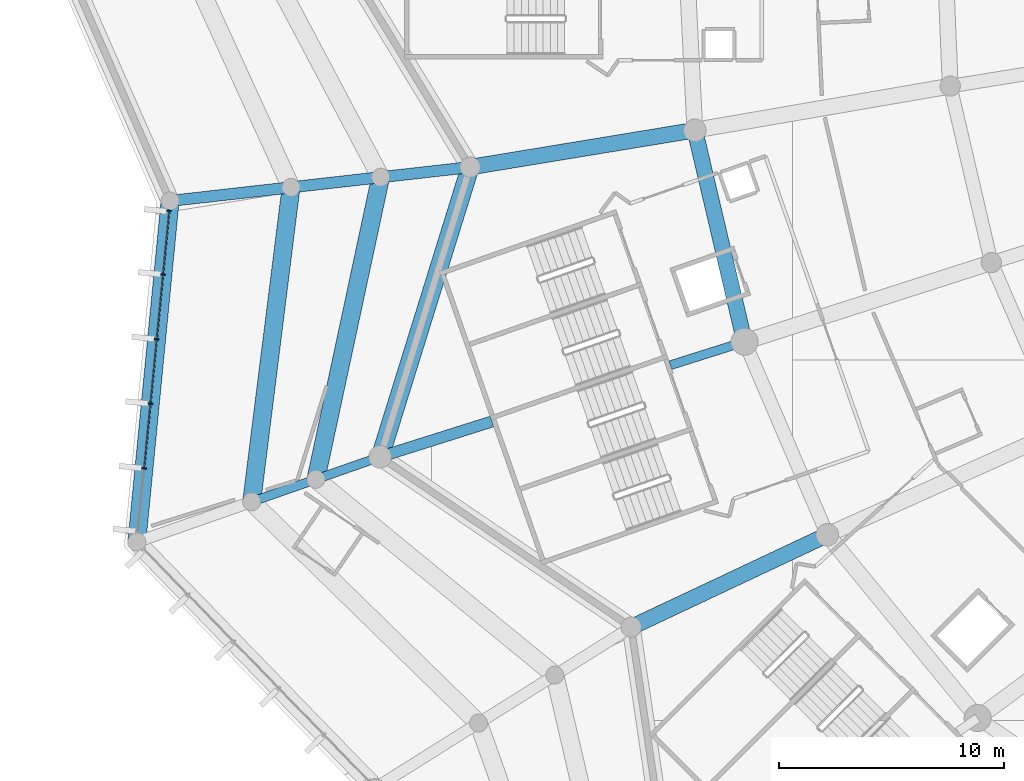
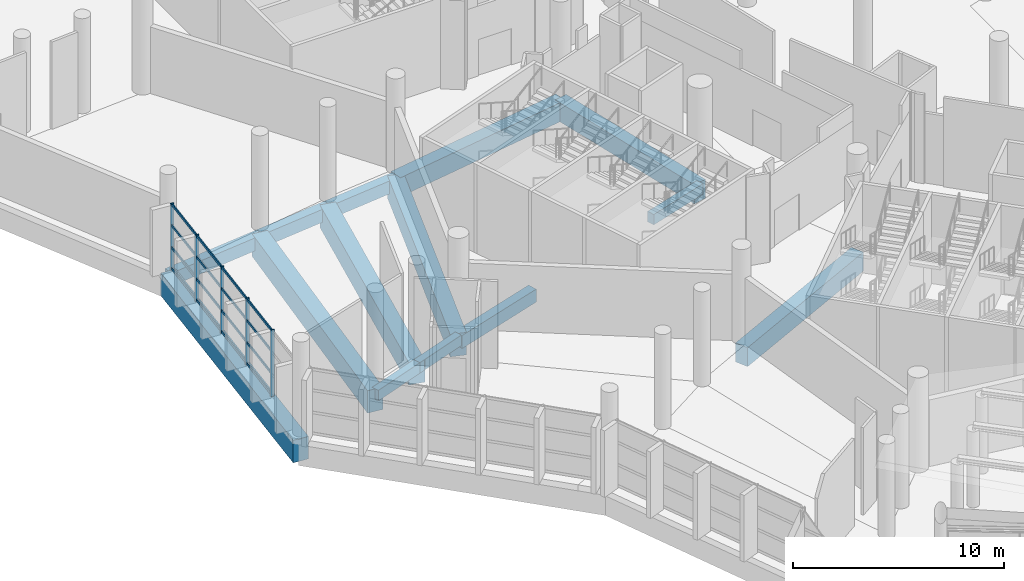
# One storey, part 13 of 271: 21 members, 14 beams, 1 element without a shape of its own.
"""IFC4 building model written with IfcOpenShell, lengths in metres."""

import ifcopenshell
import ifcopenshell.guid

model = None  # the IFC model being written
_history = None  # IfcOwnerHistory: only IFC2X3 demands one
_inside = {}  # id of a spatial element -> (the spatial element, [elements in it])
_under = {}  # id of a project, library or spatial element -> (it, [spatial elements below it])
_declared = {}  # id of a project -> (the project, [libraries it declares])
_typed = {}  # id of a type object -> (the type object, [elements of that type])
_made_of = {}  # id of a material, layer set ... -> (it, [elements and type objects made of it])


def new_model(schema):
    """Start an empty IFC model of exactly this schema.

    Asked for "IFC4X3", IfcOpenShell would pick the latest addendum, in which some entities
    have other attributes; the version numbers below select the first issue.
    IFC2X3 requires an IfcOwnerHistory on every rooted entity: one is made here for all.
    """
    global model, _history
    if schema == "IFC4X3":
        model = ifcopenshell.file(schema_version=(4, 3, 0, 0))
    else:
        model = ifcopenshell.file(schema=schema)
    _inside.clear()
    _under.clear()
    _declared.clear()
    _typed.clear()
    _made_of.clear()
    _history = None
    if model.schema == "IFC2X3":
        org = make("IfcOrganization", Name="unknown")
        user = make(
            "IfcPersonAndOrganization",
            ThePerson=make("IfcPerson", FamilyName="unknown"),
            TheOrganization=org,
        )
        app = make(
            "IfcApplication",
            ApplicationDeveloper=org,
            Version="unknown",
            ApplicationFullName="unknown",
            ApplicationIdentifier="unknown",
        )
        _history = make(
            "IfcOwnerHistory",
            OwningUser=user,
            OwningApplication=app,
            ChangeAction="ADDED",
            CreationDate=0,
        )
    return model


def make(cls, **values):
    """One entity of the class cls with the attributes given. An attribute that is None is left unset."""
    return model.create_entity(
        cls, **{name: value for name, value in values.items() if value is not None}
    )


def rooted(cls, **values):
    """An entity with a GlobalId (a new one), such as an element, a storey or a relation."""
    return make(cls, GlobalId=ifcopenshell.guid.new(), OwnerHistory=_history, **values)


def si_unit(unit_type, name, prefix=None):
    """IfcSIUnit, for example si_unit("LENGTHUNIT", "METRE", prefix="MILLI")."""
    return make("IfcSIUnit", UnitType=unit_type, Prefix=prefix, Name=name)


def assignment(units):
    """IfcUnitAssignment: the units of a project."""
    return None if units is None else make("IfcUnitAssignment", Units=units)


def point(xyz):
    """IfcCartesianPoint."""
    return None if xyz is None else make("IfcCartesianPoint", Coordinates=xyz)


def direction(xyz):
    """IfcDirection."""
    return None if xyz is None else make("IfcDirection", DirectionRatios=xyz)


def frame(location, z_axis=None, x_axis=None):
    """IfcAxis2Placement3D, a coordinate frame: its origin and axes. An axis left out is left unset."""
    return make(
        "IfcAxis2Placement3D",
        Location=point(location),
        Axis=direction(z_axis),
        RefDirection=direction(x_axis),
    )


def frame_2d(location, x_axis=None):
    """IfcAxis2Placement2D, a coordinate frame in the plane: its origin and x axis."""
    return make(
        "IfcAxis2Placement2D", Location=point(location), RefDirection=direction(x_axis)
    )


def origin():
    """The frame at (0, 0, 0) with its axes left unset."""
    return frame((0.0, 0.0, 0.0))


def origin_2d():
    """The frame at (0, 0) in the plane with its x axis left unset."""
    return frame_2d((0.0, 0.0))


def place(relative_to, where):
    """IfcLocalPlacement: puts the frame where relative to a parent placement (None: the world)."""
    return make(
        "IfcLocalPlacement", PlacementRelTo=relative_to, RelativePlacement=where
    )


def context(
    kind, dimensions, precision=None, world=None, true_north=None, identifier=None
):
    """IfcGeometricRepresentationContext, for example the 3D "Model" context."""
    return make(
        "IfcGeometricRepresentationContext",
        ContextIdentifier=identifier,
        ContextType=kind,
        CoordinateSpaceDimension=dimensions,
        Precision=precision,
        WorldCoordinateSystem=world,
        TrueNorth=true_north,
    )


def subcontext(parent, identifier, kind, view, scale=None):
    """IfcGeometricRepresentationSubContext, for example "Body" below "Model"."""
    return make(
        "IfcGeometricRepresentationSubContext",
        ContextIdentifier=identifier,
        ContextType=kind,
        ParentContext=parent,
        TargetScale=scale,
        TargetView=view,
    )


def project(units=None, contexts=None):
    """IfcProject with its units and contexts."""
    return rooted(
        "IfcProject",
        Name="project",
        RepresentationContexts=contexts,
        UnitsInContext=assignment(units),
    )


def spatial(cls, under=None, at=None, **own):
    """A site, building, storey or space (cls), placed at a placement, below another one or the project."""
    s = rooted(cls, ObjectPlacement=at, **own)
    if under is not None:
        _under.setdefault(under.id(), (under, []))[1].append(s)
    return s


def profile(cls, at=None, kind="AREA", **sizes):
    """A parametric profile (cls). Its sizes go by their IFC names, for example OverallWidth=200.0."""
    return make(cls, ProfileType=kind, Position=at, **sizes)


def rectangle(**sizes):
    """IfcRectangleProfileDef."""
    return profile("IfcRectangleProfileDef", **sizes)


def extrude(swept, where, along, depth):
    """IfcExtrudedAreaSolid: the profile swept, set in the frame where, extruded along a direction by depth."""
    return make(
        "IfcExtrudedAreaSolid",
        SweptArea=swept,
        Position=where,
        ExtrudedDirection=direction(along),
        Depth=depth,
    )


def shape(context_of_items, identifier, shape_type, items):
    """IfcShapeRepresentation: the items that make up one representation, for example the "Body"."""
    return make(
        "IfcShapeRepresentation",
        ContextOfItems=context_of_items,
        RepresentationIdentifier=identifier,
        RepresentationType=shape_type,
        Items=items,
    )


def material(Name=None, Category=None):
    """IfcMaterial."""
    return make("IfcMaterial", Name=Name, Category=Category)


def layer(
    of_material, thickness, ventilated=None, Name=None, Category=None, Priority=None
):
    """IfcMaterialLayer: one layer of a wall or slab, of a material (None: an air gap)."""
    return make(
        "IfcMaterialLayer",
        Material=of_material,
        LayerThickness=thickness,
        IsVentilated=ventilated,
        Name=Name,
        Category=Category,
        Priority=Priority,
    )


def layer_set(layers, Name=None):
    """IfcMaterialLayerSet."""
    return make("IfcMaterialLayerSet", MaterialLayers=layers, LayerSetName=Name)


def material_profile(
    of_material, cross_section, Name=None, Category=None, Priority=None
):
    """IfcMaterialProfile: a cross section and its material."""
    return make(
        "IfcMaterialProfile",
        Name=Name,
        Material=of_material,
        Profile=cross_section,
        Priority=Priority,
        Category=Category,
    )


def profile_set(profiles, Name=None, composite=None):
    """IfcMaterialProfileSet."""
    return make(
        "IfcMaterialProfileSet",
        Name=Name,
        MaterialProfiles=profiles,
        CompositeProfile=composite,
    )


def made_of(thing, what):
    """Note that an element or type object is made of a material, layer set ...; save() writes the relation."""
    if what is not None:
        _made_of.setdefault(what.id(), (what, []))[1].append(thing)
    return thing


def type_object(cls, material=None, **own):
    """A type object (cls), such as IfcWallType, which elements share."""
    return made_of(rooted(cls, **own), material)


def element(
    cls,
    number,
    at=None,
    inside=None,
    cuts=None,
    type_object=None,
    material=None,
    context=None,
    identifier="Body",
    shape_type=None,
    held_by="IfcProductDefinitionShape",
    body=None,
    shapes=None,
    **own,
):
    """One element of the class cls, such as IfcWall. Its Tag is "e" and its number.

    at: its placement. inside: the storey or other place that contains it. cuts: it is an
    opening in that element (IfcRelVoidsElement). A single representation is given by context,
    identifier, shape_type and body (its items); several are given by shapes. held_by: the class
    of the entity that holds the representations. save() writes the other relations.
    """
    e = rooted(cls, Tag="e%d" % number, ObjectPlacement=at, **own)
    if body is not None:
        shapes = [shape(context, identifier, shape_type, body)]
    if shapes is not None:
        e.Representation = make(held_by, Representations=shapes)
    if inside is not None:
        _inside.setdefault(inside.id(), (inside, []))[1].append(e)
    if cuts is not None:
        rooted(
            "IfcRelVoidsElement", RelatingBuildingElement=cuts, RelatedOpeningElement=e
        )
    if type_object is not None:
        _typed.setdefault(type_object.id(), (type_object, []))[1].append(e)
    return made_of(e, material)


def aggregate(whole, parts):
    """IfcRelAggregates: a whole, such as a stair, and the parts it consists of."""
    return rooted("IfcRelAggregates", RelatingObject=whole, RelatedObjects=parts)


def save(model, path):
    """Write the relations noted so far, then the file.

    IfcRelAggregates (storeys below a building ...), IfcRelContainedInSpatialStructure (elements
    in a storey), IfcRelDefinesByType, IfcRelAssociatesMaterial and IfcRelDeclares: one each for
    every whole, place, type object, material and project.
    """
    for whole, parts in _under.values():
        aggregate(whole, parts)
    for where, things in _inside.values():
        rooted(
            "IfcRelContainedInSpatialStructure",
            RelatedElements=things,
            RelatingStructure=where,
        )
    for kind, things in _typed.values():
        rooted("IfcRelDefinesByType", RelatedObjects=things, RelatingType=kind)
    for what, things in _made_of.values():
        rooted("IfcRelAssociatesMaterial", RelatedObjects=things, RelatingMaterial=what)
    for by, libraries in _declared.values():
        rooted("IfcRelDeclares", RelatingContext=by, RelatedDefinitions=libraries)
    model.write(path)


model = new_model("IFC4")

# Units and contexts
model_context = context("Model", 3, precision=1e-05, world=origin(), true_north=direction((0.0, 1.0)))
body_context = subcontext(model_context, "Body", "Model", "MODEL_VIEW")
ifc_project = project(units=[si_unit("LENGTHUNIT", "METRE"), si_unit("AREAUNIT", "SQUARE_METRE"), si_unit("VOLUMEUNIT", "CUBIC_METRE"), si_unit("PLANEANGLEUNIT", "RADIAN"), si_unit("MASSUNIT", "GRAM", prefix="KILO")], contexts=[model_context])

# Site, building, storey
site_placement = place(None, origin())
site = spatial("IfcSite", under=ifc_project, at=site_placement, CompositionType="ELEMENT")
building_placement = place(site_placement, origin())
building = spatial("IfcBuilding", under=site, at=building_placement, Name="Meseta Stadium", CompositionType="ELEMENT")
storey_placement = place(building_placement, frame((0.0, 0.0, 6.5)))
storey = spatial("IfcBuildingStorey", under=building, at=storey_placement, Name="L01", CompositionType="ELEMENT", Elevation=6.5)

# Beams
ifc_material_1 = material(Name="Concrete C40/50", Category="concrete")
ifc_material_profile_1 = material_profile(ifc_material_1, rectangle(XDim=0.39990234375, YDim=0.60009765625, at=origin_2d()), Name="RC 400x600")
ifc_profile_set_1 = profile_set([ifc_material_profile_1], Name="Concrete C40/50")
beam_type_1 = type_object("IfcBeamType", Name="RC beam 400x600", PredefinedType="BEAM", material=ifc_profile_set_1)
beam_1_placement = place(storey_placement, frame((-82.119873046875, -63.191162109375, -0.64990234375), z_axis=(-0.953578389502, -0.301144907105, 0.0), x_axis=(0.301144907105, -0.953578389502, 0.0)))
element("IfcBeam", 1, at=beam_1_placement, inside=storey, type_object=beam_type_1, Name="L01 radial beam frame 38 line P to R", PredefinedType="BEAM", context=body_context, shape_type="SweptSolid", body=[
    extrude(rectangle(XDim=0.39990234375, YDim=0.60009765625, at=origin_2d()), origin(), (0.0, 0.0, 1.0), 3.451904296875),
])
beam_2_placement = place(storey_placement, frame((-98.291015625, -68.297607421875, -0.64990234375), z_axis=(-0.943904999317, -0.33021712897, 0.0), x_axis=(0.33021712897, -0.943904999317, 0.0)))
element("IfcBeam", 2, at=beam_2_placement, inside=storey, type_object=beam_type_1, Name="L01 radial beam frame 38 line R to M", PredefinedType="BEAM", context=body_context, shape_type="SweptSolid", body=[
    extrude(rectangle(XDim=0.39990234375, YDim=0.60009765625, at=origin_2d()), origin(), (0.0, 0.0, 1.0), 3.018798828125),
])
beam_3_placement = place(storey_placement, frame((-101.140380859375, -69.29443359375, -0.64990234375), z_axis=(-0.943888610281, -0.330263972274, 0.0), x_axis=(0.330263972274, -0.943888610281, 0.0)))
element("IfcBeam", 3, at=beam_3_placement, inside=storey, type_object=beam_type_1, Name="L01 radial beam frame 38 line M to Q", PredefinedType="BEAM", context=body_context, shape_type="SweptSolid", body=[
    extrude(rectangle(XDim=0.39990234375, YDim=0.60009765625, at=origin_2d()), origin(), (0.0, 0.0, 1.0), 3.01904296875),
])
ifc_material_2 = material(Name="Concrete C40/50", Category="concrete")
ifc_material_profile_2 = material_profile(ifc_material_2, rectangle(XDim=0.5, YDim=0.75, at=origin_2d()), Name="RC 500x750")
ifc_profile_set_2 = profile_set([ifc_material_profile_2], Name="Concrete C40/50")
beam_type_2 = type_object("IfcBeamType", Name="RC beam 500x750", PredefinedType="BEAM", material=ifc_profile_set_2)
beam_4_placement = place(storey_placement, frame((-93.330078125, -66.73095703125, -0.72509765625), z_axis=(-0.953580537384, -0.301138105728, 0.0), x_axis=(0.301138105728, -0.953580537384, 0.0)))
element("IfcBeam", 4, at=beam_4_placement, inside=storey, type_object=beam_type_2, Name="L01 radial beam frame 38 line P to R", PredefinedType="BEAM", context=body_context, shape_type="SweptSolid", body=[
    extrude(rectangle(XDim=0.5, YDim=0.75, at=origin_2d()), origin(), (0.0, 0.0, 1.0), 5.202392578125),
])
for number, where, z_axis, x_axis, name in (
    (5, (-94.29443359375, -55.44140625, -0.72509765625), (-0.993708325891, -0.111998942203, 0.0), (0.111998942203, -0.993708325891, 0.0), "L01 radial beam frame 37 line R to M"),
    (6, (-98.269287109375, -55.889404296875, -0.72509765625), (-0.993715116939, -0.111938672346, 0.0), (0.111938672346, -0.993715116939, 0.0), "L01 radial beam frame 37 line M to Q"),
):
    element("IfcBeam", number, at=place(storey_placement, frame(where, z_axis=z_axis, x_axis=x_axis)), inside=storey, type_object=beam_type_2, Name=name, PredefinedType="BEAM", context=body_context, shape_type="SweptSolid", body=[
        extrude(rectangle(XDim=0.5, YDim=0.75, at=origin_2d()), origin(), (0.0, 0.0, 1.0), 4.0),
    ])
beam_5_placement = place(storey_placement, frame((-102.244140625, -56.337158203125, -0.72509765625), z_axis=(-0.993709385305, -0.111989542172, 0.0), x_axis=(0.111989542172, -0.993709385305, 0.0)))
element("IfcBeam", 7, at=beam_5_placement, inside=storey, type_object=beam_type_2, Name="L01 radial beam frame 37 line Q to O", PredefinedType="BEAM", context=body_context, shape_type="SweptSolid", body=[
    extrude(rectangle(XDim=0.5, YDim=0.75, at=origin_2d()), origin(), (0.0, 0.0, 1.0), 5.39990234375),
])
ifc_material_3 = material(Name="Concrete C40/50", Category="concrete")
ifc_material_profile_3 = material_profile(ifc_material_3, rectangle(XDim=0.699951171875, YDim=1.10009765625, at=origin_2d()), Name="RC 700x1100")
ifc_profile_set_3 = profile_set([ifc_material_profile_3], Name="Concrete C40/50")
beam_type_3 = type_object("IfcBeamType", Name="RC beam 700x1100", PredefinedType="BEAM", material=ifc_profile_set_3)
beam_6_placement = place(storey_placement, frame((-84.3251953125, -53.801513671875, -0.89990234375), z_axis=(0.228645688533, -0.973509706739, 0.0), x_axis=(0.973509706739, 0.228645688533, 0.0)))
element("IfcBeam", 8, at=beam_6_placement, inside=storey, type_object=beam_type_3, Name="L01 ring beam frame 37 line P", PredefinedType="BEAM", context=body_context, shape_type="SweptSolid", body=[
    extrude(rectangle(XDim=0.699951171875, YDim=1.10009765625, at=origin_2d()), origin(), (0.0, 0.0, 1.0), 9.645263671875),
])
beam_7_placement = place(storey_placement, frame((-84.3251953125, -53.801513671875, -0.89990234375), z_axis=(-0.986739169318, -0.162313929576, 0.0), x_axis=(0.162313929576, -0.986739169318, 0.0)))
element("IfcBeam", 9, at=beam_7_placement, inside=storey, type_object=beam_type_3, Name="L01 radial beam frame 37 line P to R", PredefinedType="BEAM", context=body_context, shape_type="SweptSolid", body=[
    extrude(rectangle(XDim=0.699951171875, YDim=1.10009765625, at=origin_2d()), origin(), (0.0, 0.0, 1.0), 10.103271484375),
])
beam_8_placement = place(storey_placement, frame((-78.4453125, -71.756103515625, -0.89990234375), z_axis=(-0.904664550747, -0.426124454382, 0.0), x_axis=(0.426124454382, -0.904664550747, 0.0)))
element("IfcBeam", 10, at=beam_8_placement, inside=storey, type_object=beam_type_3, Name="L01 radial beam frame 39 line P to R", PredefinedType="BEAM", context=body_context, shape_type="SweptSolid", body=[
    extrude(rectangle(XDim=0.699951171875, YDim=1.10009765625, at=origin_2d()), origin(), (0.0, 0.0, 1.0), 9.623046875),
])
ifc_material_4 = material(Name="Concrete C40/50", Category="concrete")
ifc_material_profile_4 = material_profile(ifc_material_4, rectangle(XDim=0.800048828125, YDim=1.300048828125, at=origin_2d()), Name="RC 800x1300")
ifc_profile_set_4 = profile_set([ifc_material_profile_4], Name="Concrete C40/50")
beam_type_4 = type_object("IfcBeamType", Name="RC beam 800x1300", PredefinedType="BEAM", material=ifc_profile_set_4)
beam_9_placement = place(storey_placement, frame((-94.29443359375, -55.44140625, -1.0), z_axis=(-0.296854913016, -0.954922594045, 0.0), x_axis=(0.954922594045, -0.296854913016, 0.0)))
element("IfcBeam", 11, at=beam_9_placement, inside=storey, type_object=beam_type_4, Name="L01 ring beam frame 37 line R", PredefinedType="BEAM", context=body_context, shape_type="SweptSolid", body=[
    extrude(rectangle(XDim=0.800048828125, YDim=1.300048828125, at=origin_2d()), origin(), (0.0, 0.0, 1.0), 13.463134765625),
])
beam_10_placement = place(storey_placement, frame((-98.269287109375, -55.889404296875, -1.0), z_axis=(-0.209430575028, -0.977823518966, 0.0), x_axis=(0.977823518966, -0.209430575028, 0.0)))
element("IfcBeam", 12, at=beam_10_placement, inside=storey, type_object=beam_type_4, Name="L01 ring beam frame 37 line M", PredefinedType="BEAM", context=body_context, shape_type="SweptSolid", body=[
    extrude(rectangle(XDim=0.800048828125, YDim=1.300048828125, at=origin_2d()), origin(), (0.0, 0.0, 1.0), 13.708984375),
])
beam_11_placement = place(storey_placement, frame((-102.244140625, -56.337158203125, -1.0), z_axis=(-0.124143703283, -0.99226424955, 0.0), x_axis=(0.99226424955, -0.124143703283, 0.0)))
element("IfcBeam", 13, at=beam_11_placement, inside=storey, type_object=beam_type_4, Name="L01 ring beam frame 37 line Q", PredefinedType="BEAM", context=body_context, shape_type="SweptSolid", body=[
    extrude(rectangle(XDim=0.800048828125, YDim=1.300048828125, at=origin_2d()), origin(), (0.0, 0.0, 1.0), 14.063232421875),
])
beam_12_placement = place(storey_placement, frame((-107.610107421875, -56.94189453125, -1.0), z_axis=(-0.097125179524, -0.99527217358, 0.0), x_axis=(0.99527217358, -0.097125179524, 0.0)))
element("IfcBeam", 14, at=beam_12_placement, inside=storey, type_object=beam_type_4, Name="L01 ring beam frame 37 line O", PredefinedType="BEAM", context=body_context, shape_type="SweptSolid", body=[
    extrude(rectangle(XDim=0.800048828125, YDim=1.300048828125, at=origin_2d()), origin(), (0.0, 0.0, 1.0), 15.205078125),
])

# Curtain wall, members
ifc_material_5 = material(Name="Aluminium", Category="aluminium")
ifc_layer = layer(ifc_material_5, 0.199951171875)
ifc_layer_set = layer_set([ifc_layer], Name="Ring shopfront curtain wall")
curtain_wall_type = type_object("IfcCurtainWallType", Name="Ring shopfront curtain wall", PredefinedType="NOTDEFINED", material=ifc_layer_set)
curtain_wall_placement = place(storey_placement, origin())
curtain_wall = element("IfcCurtainWall", 15, at=curtain_wall_placement, inside=storey, type_object=curtain_wall_type, Name="Ring glazing L01 F37", PredefinedType="NOTDEFINED")
ifc_material_6 = material(Name="Aluminium", Category="aluminium")
ifc_material_profile_5 = material_profile(ifc_material_6, rectangle(XDim=0.199951171875, YDim=0.06005859375, at=origin_2d()), Name="CW 200x60")
ifc_profile_set_5 = profile_set([ifc_material_profile_5], Name="Aluminium")
member_type_1 = type_object("IfcMemberType", Name="Ring CW mullion 60x200", PredefinedType="MULLION", material=ifc_profile_set_5)
member_1_placement = place(storey_placement, frame((-107.65185546875, -57.369873046875, 0.0), z_axis=(0.0, 0.0, 1.0), x_axis=(0.995272228282, -0.097124618973, 0.0)))
member_1 = element("IfcMember", 16, at=member_1_placement, type_object=member_type_1, Name="CWR1 mullion 1", PredefinedType="MULLION", context=body_context, shape_type="SweptSolid", body=[
    extrude(rectangle(XDim=0.199951171875, YDim=0.06005859375, at=origin_2d()), origin(), (0.0, 0.0, 1.0), 3.85009765625),
])
member_2_placement = place(storey_placement, frame((-107.9287109375, -60.207275390625, 0.0), z_axis=(0.0, 0.0, 1.0), x_axis=(0.995272228282, -0.097124618973, 0.0)))
member_2 = element("IfcMember", 17, at=member_2_placement, type_object=member_type_1, Name="CWR1 mullion 2", PredefinedType="MULLION", context=body_context, shape_type="SweptSolid", body=[
    extrude(rectangle(XDim=0.199951171875, YDim=0.06005859375, at=origin_2d()), origin(), (0.0, 0.0, 1.0), 3.85009765625),
])
member_3_placement = place(storey_placement, frame((-108.208740234375, -63.07470703125, 0.0), z_axis=(0.0, 0.0, 1.0), x_axis=(0.995272228282, -0.097124618973, 0.0)))
member_3 = element("IfcMember", 18, at=member_3_placement, type_object=member_type_1, Name="CWR1 mullion 3", PredefinedType="MULLION", context=body_context, shape_type="SweptSolid", body=[
    extrude(rectangle(XDim=0.199951171875, YDim=0.06005859375, at=origin_2d()), origin(), (0.0, 0.0, 1.0), 3.85009765625),
])
member_4_placement = place(storey_placement, frame((-108.488525390625, -65.942138671875, 0.0), z_axis=(0.0, 0.0, 1.0), x_axis=(0.995272228282, -0.097124618973, 0.0)))
member_4 = element("IfcMember", 19, at=member_4_placement, type_object=member_type_1, Name="CWR1 mullion 4", PredefinedType="MULLION", context=body_context, shape_type="SweptSolid", body=[
    extrude(rectangle(XDim=0.199951171875, YDim=0.06005859375, at=origin_2d()), origin(), (0.0, 0.0, 1.0), 3.85009765625),
])
member_5_placement = place(storey_placement, frame((-108.768310546875, -68.8095703125, 0.0), z_axis=(0.0, 0.0, 1.0), x_axis=(0.995272228282, -0.097124618973, 0.0)))
member_5 = element("IfcMember", 20, at=member_5_placement, type_object=member_type_1, Name="CWR1 mullion 5", PredefinedType="MULLION", context=body_context, shape_type="SweptSolid", body=[
    extrude(rectangle(XDim=0.199951171875, YDim=0.06005859375, at=origin_2d()), origin(), (0.0, 0.0, 1.0), 3.85009765625),
])
ifc_material_7 = material(Name="Aluminium", Category="aluminium")
ifc_material_profile_6 = material_profile(ifc_material_7, rectangle(XDim=0.06005859375, YDim=0.14990234375, at=origin_2d()), Name="CW 60x150")
ifc_profile_set_6 = profile_set([ifc_material_profile_6], Name="Aluminium")
member_type_2 = type_object("IfcMemberType", Name="Ring CW transom 60x150", PredefinedType="USERDEFINED", material=ifc_profile_set_6)
member_6_placement = place(storey_placement, frame((-107.65478515625, -57.399658203125, 0.074951171875), z_axis=(-0.097182385377, -0.995266589398, 0.0), x_axis=(0.995266589398, -0.097182385377, 0.0)))
member_6 = element("IfcMember", 21, at=member_6_placement, type_object=member_type_2, Name="CWR1 transom 1.1", ObjectType="TRANSOM", PredefinedType="USERDEFINED", context=body_context, shape_type="SweptSolid", body=[
    extrude(rectangle(XDim=0.06005859375, YDim=0.14990234375, at=origin_2d()), origin(), (0.0, 0.0, 1.0), 2.791015625),
])
member_7_placement = place(storey_placement, frame((-107.65478515625, -57.399658203125, 1.283447265625), z_axis=(-0.097182385377, -0.995266589398, 0.0), x_axis=(0.995266589398, -0.097182385377, 0.0)))
member_7 = element("IfcMember", 22, at=member_7_placement, type_object=member_type_2, Name="CWR1 transom 1.2", ObjectType="TRANSOM", PredefinedType="USERDEFINED", context=body_context, shape_type="SweptSolid", body=[
    extrude(rectangle(XDim=0.06005859375, YDim=0.14990234375, at=origin_2d()), origin(), (0.0, 0.0, 1.0), 2.791015625),
])
member_8_placement = place(storey_placement, frame((-107.65478515625, -57.399658203125, 2.566650390625), z_axis=(-0.097182385377, -0.995266589398, 0.0), x_axis=(0.995266589398, -0.097182385377, 0.0)))
member_8 = element("IfcMember", 23, at=member_8_placement, type_object=member_type_2, Name="CWR1 transom 1.3", ObjectType="TRANSOM", PredefinedType="USERDEFINED", context=body_context, shape_type="SweptSolid", body=[
    extrude(rectangle(XDim=0.06005859375, YDim=0.14990234375, at=origin_2d()), origin(), (0.0, 0.0, 1.0), 2.791015625),
])
member_9_placement = place(storey_placement, frame((-107.65478515625, -57.399658203125, 3.77490234375), z_axis=(-0.097182385377, -0.995266589398, 0.0), x_axis=(0.995266589398, -0.097182385377, 0.0)))
member_9 = element("IfcMember", 24, at=member_9_placement, type_object=member_type_2, Name="CWR1 transom 1.4", ObjectType="TRANSOM", PredefinedType="USERDEFINED", context=body_context, shape_type="SweptSolid", body=[
    extrude(rectangle(XDim=0.06005859375, YDim=0.14990234375, at=origin_2d()), origin(), (0.0, 0.0, 1.0), 2.791015625),
])
member_10_placement = place(storey_placement, frame((-107.931640625, -60.237060546875, 0.074951171875), z_axis=(-0.097181503917, -0.995266675468, 0.0), x_axis=(0.995266675468, -0.097181503917, 0.0)))
member_10 = element("IfcMember", 25, at=member_10_placement, type_object=member_type_2, Name="CWR1 transom 2.1", ObjectType="TRANSOM", PredefinedType="USERDEFINED", context=body_context, shape_type="SweptSolid", body=[
    extrude(rectangle(XDim=0.06005859375, YDim=0.14990234375, at=origin_2d()), origin(), (0.0, 0.0, 1.0), 2.8212890625),
])
member_11_placement = place(storey_placement, frame((-107.931640625, -60.237060546875, 1.283447265625), z_axis=(-0.097181503917, -0.995266675468, 0.0), x_axis=(0.995266675468, -0.097181503917, 0.0)))
member_11 = element("IfcMember", 26, at=member_11_placement, type_object=member_type_2, Name="CWR1 transom 2.2", ObjectType="TRANSOM", PredefinedType="USERDEFINED", context=body_context, shape_type="SweptSolid", body=[
    extrude(rectangle(XDim=0.06005859375, YDim=0.14990234375, at=origin_2d()), origin(), (0.0, 0.0, 1.0), 2.8212890625),
])
member_12_placement = place(storey_placement, frame((-107.931640625, -60.237060546875, 2.566650390625), z_axis=(-0.097181503917, -0.995266675468, 0.0), x_axis=(0.995266675468, -0.097181503917, 0.0)))
member_12 = element("IfcMember", 27, at=member_12_placement, type_object=member_type_2, Name="CWR1 transom 2.3", ObjectType="TRANSOM", PredefinedType="USERDEFINED", context=body_context, shape_type="SweptSolid", body=[
    extrude(rectangle(XDim=0.06005859375, YDim=0.14990234375, at=origin_2d()), origin(), (0.0, 0.0, 1.0), 2.8212890625),
])
member_13_placement = place(storey_placement, frame((-107.931640625, -60.237060546875, 3.77490234375), z_axis=(-0.097181503917, -0.995266675468, 0.0), x_axis=(0.995266675468, -0.097181503917, 0.0)))
member_13 = element("IfcMember", 28, at=member_13_placement, type_object=member_type_2, Name="CWR1 transom 2.4", ObjectType="TRANSOM", PredefinedType="USERDEFINED", context=body_context, shape_type="SweptSolid", body=[
    extrude(rectangle(XDim=0.06005859375, YDim=0.14990234375, at=origin_2d()), origin(), (0.0, 0.0, 1.0), 2.8212890625),
])
member_14_placement = place(storey_placement, frame((-108.211669921875, -63.1044921875, 0.074951171875), z_axis=(-0.097095782713, -0.995275041875, 0.0), x_axis=(0.995275041875, -0.097095782713, 0.0)))
member_14 = element("IfcMember", 29, at=member_14_placement, type_object=member_type_2, Name="CWR1 transom 3.1", ObjectType="TRANSOM", PredefinedType="USERDEFINED", context=body_context, shape_type="SweptSolid", body=[
    extrude(rectangle(XDim=0.06005859375, YDim=0.14990234375, at=origin_2d()), origin(), (0.0, 0.0, 1.0), 2.8212890625),
])
member_15_placement = place(storey_placement, frame((-108.211669921875, -63.1044921875, 1.283447265625), z_axis=(-0.097095782713, -0.995275041875, 0.0), x_axis=(0.995275041875, -0.097095782713, 0.0)))
member_15 = element("IfcMember", 30, at=member_15_placement, type_object=member_type_2, Name="CWR1 transom 3.2", ObjectType="TRANSOM", PredefinedType="USERDEFINED", context=body_context, shape_type="SweptSolid", body=[
    extrude(rectangle(XDim=0.06005859375, YDim=0.14990234375, at=origin_2d()), origin(), (0.0, 0.0, 1.0), 2.8212890625),
])
member_16_placement = place(storey_placement, frame((-108.211669921875, -63.1044921875, 2.566650390625), z_axis=(-0.097095782713, -0.995275041875, 0.0), x_axis=(0.995275041875, -0.097095782713, 0.0)))
member_16 = element("IfcMember", 31, at=member_16_placement, type_object=member_type_2, Name="CWR1 transom 3.3", ObjectType="TRANSOM", PredefinedType="USERDEFINED", context=body_context, shape_type="SweptSolid", body=[
    extrude(rectangle(XDim=0.06005859375, YDim=0.14990234375, at=origin_2d()), origin(), (0.0, 0.0, 1.0), 2.8212890625),
])
member_17_placement = place(storey_placement, frame((-108.211669921875, -63.1044921875, 3.77490234375), z_axis=(-0.097095782713, -0.995275041875, 0.0), x_axis=(0.995275041875, -0.097095782713, 0.0)))
member_17 = element("IfcMember", 32, at=member_17_placement, type_object=member_type_2, Name="CWR1 transom 3.4", ObjectType="TRANSOM", PredefinedType="USERDEFINED", context=body_context, shape_type="SweptSolid", body=[
    extrude(rectangle(XDim=0.06005859375, YDim=0.14990234375, at=origin_2d()), origin(), (0.0, 0.0, 1.0), 2.8212890625),
])
member_18_placement = place(storey_placement, frame((-108.491455078125, -65.971923828125, 0.074951171875), z_axis=(-0.097095782713, -0.995275041875, 0.0), x_axis=(0.995275041875, -0.097095782713, 0.0)))
member_18 = element("IfcMember", 33, at=member_18_placement, type_object=member_type_2, Name="CWR1 transom 4.1", ObjectType="TRANSOM", PredefinedType="USERDEFINED", context=body_context, shape_type="SweptSolid", body=[
    extrude(rectangle(XDim=0.06005859375, YDim=0.14990234375, at=origin_2d()), origin(), (0.0, 0.0, 1.0), 2.8212890625),
])
member_19_placement = place(storey_placement, frame((-108.491455078125, -65.971923828125, 1.283447265625), z_axis=(-0.097095782713, -0.995275041875, 0.0), x_axis=(0.995275041875, -0.097095782713, 0.0)))
member_19 = element("IfcMember", 34, at=member_19_placement, type_object=member_type_2, Name="CWR1 transom 4.2", ObjectType="TRANSOM", PredefinedType="USERDEFINED", context=body_context, shape_type="SweptSolid", body=[
    extrude(rectangle(XDim=0.06005859375, YDim=0.14990234375, at=origin_2d()), origin(), (0.0, 0.0, 1.0), 2.8212890625),
])
member_20_placement = place(storey_placement, frame((-108.491455078125, -65.971923828125, 2.566650390625), z_axis=(-0.097095782713, -0.995275041875, 0.0), x_axis=(0.995275041875, -0.097095782713, 0.0)))
member_20 = element("IfcMember", 35, at=member_20_placement, type_object=member_type_2, Name="CWR1 transom 4.3", ObjectType="TRANSOM", PredefinedType="USERDEFINED", context=body_context, shape_type="SweptSolid", body=[
    extrude(rectangle(XDim=0.06005859375, YDim=0.14990234375, at=origin_2d()), origin(), (0.0, 0.0, 1.0), 2.8212890625),
])
member_21_placement = place(storey_placement, frame((-108.491455078125, -65.971923828125, 3.77490234375), z_axis=(-0.097095782713, -0.995275041875, 0.0), x_axis=(0.995275041875, -0.097095782713, 0.0)))
member_21 = element("IfcMember", 36, at=member_21_placement, type_object=member_type_2, Name="CWR1 transom 4.4", ObjectType="TRANSOM", PredefinedType="USERDEFINED", context=body_context, shape_type="SweptSolid", body=[
    extrude(rectangle(XDim=0.06005859375, YDim=0.14990234375, at=origin_2d()), origin(), (0.0, 0.0, 1.0), 2.8212890625),
])
aggregate(curtain_wall, [member_1, member_2, member_3, member_4, member_5, member_6, member_7, member_8, member_9, member_10, member_11, member_12, member_13, member_14, member_15, member_16, member_17, member_18, member_19, member_20, member_21])

save(model, "model.ifc")
